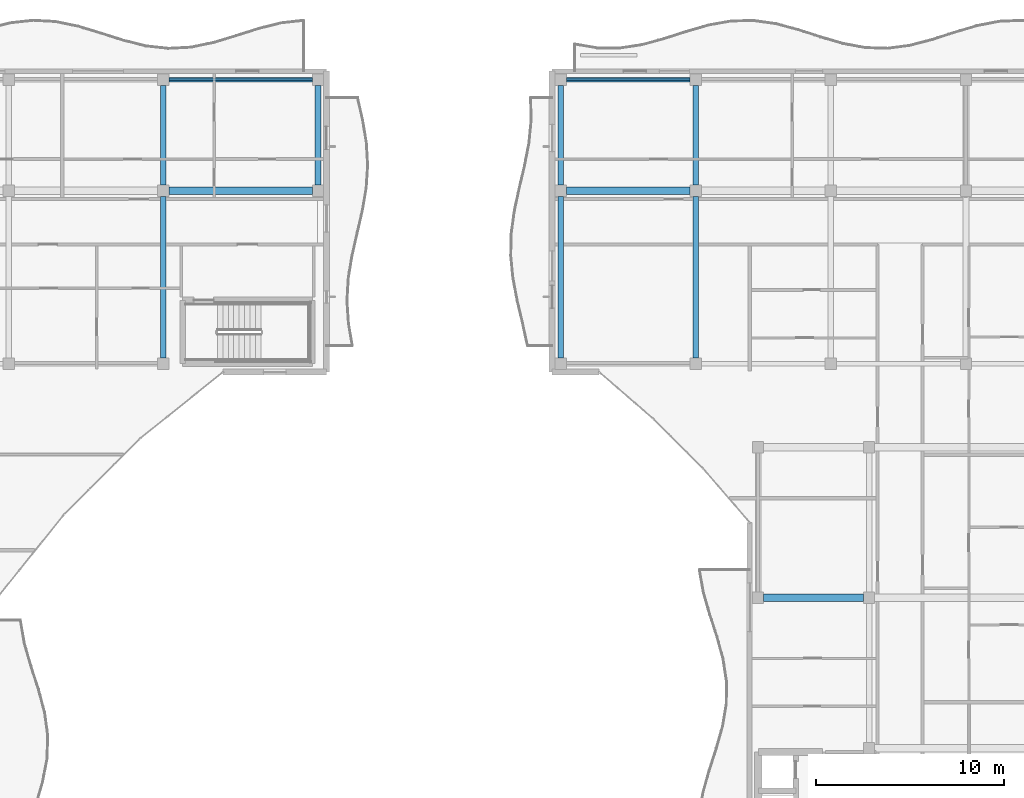
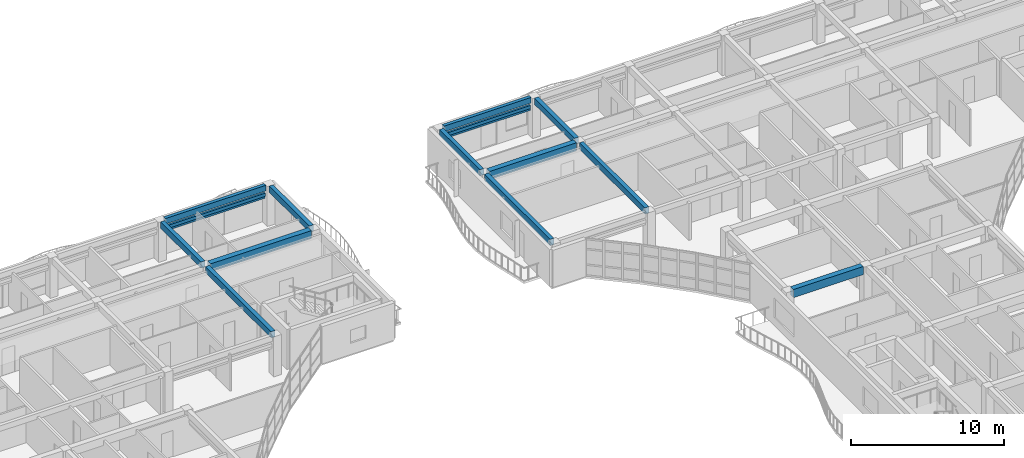
# One storey, part 11 of 76: 12 beams, 4 members.
"""IFC4 building model written with IfcOpenShell, lengths in metres."""

from ifc_helpers import new_model, si_unit, direction, frame, origin, origin_2d, place, context, subcontext, project, spatial, rectangle, hollow_rectangle, extrude, material, material_profile, profile_set, type_object, element, save


model = new_model("IFC4")

# Units and contexts
model_context = context("Model", 3, precision=1e-05, world=origin(), true_north=direction((0.0, 1.0)))
body_context = subcontext(model_context, "Body", "Model", "MODEL_VIEW")
ifc_project = project(units=[si_unit("LENGTHUNIT", "METRE"), si_unit("AREAUNIT", "SQUARE_METRE"), si_unit("VOLUMEUNIT", "CUBIC_METRE"), si_unit("PLANEANGLEUNIT", "RADIAN"), si_unit("MASSUNIT", "GRAM", prefix="KILO")], contexts=[model_context])

# Site, building, storey
site_placement = place(None, origin())
site = spatial("IfcSite", under=ifc_project, at=site_placement, CompositionType="ELEMENT")
building_placement = place(site_placement, origin())
building = spatial("IfcBuilding", under=site, at=building_placement, Name="Keldmere Railside Commons", CompositionType="ELEMENT")
storey_placement = place(building_placement, frame((0.0, 0.0, 13.760009765625)))
storey = spatial("IfcBuildingStorey", under=building, at=storey_placement, Name="L04", CompositionType="ELEMENT", Elevation=13.760009765625)

# Members
ifc_material_1 = material(Name="Steel F-36 (S355)", Category="steel")
ifc_material_profile_1 = material_profile(ifc_material_1, hollow_rectangle(XDim=0.14990234375, YDim=0.25, WallThickness=0.010009765625, at=origin_2d()), Name="RHS-250x150x10")
ifc_profile_set_1 = profile_set([ifc_material_profile_1], Name="Steel F-36 (S355)")
member_type_1 = type_object("IfcMemberType", Name="Balcony Continuous Planted Trough RHS250x150", PredefinedType="CHORD", material=ifc_profile_set_1)
member_1_placement = place(storey_placement, frame((73.1298828125, 115.550048828125, 2.4150390625), z_axis=(1.0, 0.0, 0.0), x_axis=(0.0, 1.0, 0.0)))
element("IfcMember", 1, at=member_1_placement, inside=storey, type_object=member_type_1, Name="PLT-1 MEM-BPLT-0481", PredefinedType="CHORD", context=body_context, shape_type="SweptSolid", body=[
    extrude(hollow_rectangle(XDim=0.14990234375, YDim=0.25, WallThickness=0.010009765625, at=origin_2d()), origin(), (0.0, 0.0, 1.0), 7.6201171875),
])
member_2_placement = place(storey_placement, frame((94.25, 115.550048828125, 2.4150390625), z_axis=(1.0, 0.0, 0.0), x_axis=(0.0, 1.0, 0.0)))
element("IfcMember", 2, at=member_2_placement, inside=storey, type_object=member_type_1, Name="PLT-1 MEM-BPLT-0507", PredefinedType="CHORD", context=body_context, shape_type="SweptSolid", body=[
    extrude(hollow_rectangle(XDim=0.14990234375, YDim=0.25, WallThickness=0.010009765625, at=origin_2d()), origin(), (0.0, 0.0, 1.0), 6.5830078125),
])

# Beams
ifc_material_2 = material(Name="Architectural Precast Concrete H-35 (C35/45)", Category="concrete")
ifc_material_profile_2 = material_profile(ifc_material_2, rectangle(XDim=0.25, YDim=0.449951171875, at=origin_2d()), Name="RC-250x450")
ifc_profile_set_2 = profile_set([ifc_material_profile_2], Name="Architectural Precast Concrete H-35 (C35/45)")
beam_type_1 = type_object("IfcBeamType", Name="Perimeter Precast Spandrel Beam 250x450", PredefinedType="SPANDREL", material=ifc_profile_set_2)
beam_1_placement = place(storey_placement, frame((73.1298828125, 115.550048828125, 2.97509765625), z_axis=(1.0, 0.0, 0.0), x_axis=(0.0, 1.0, 0.0)))
element("IfcBeam", 3, at=beam_1_placement, inside=storey, type_object=beam_type_1, Name="SPB-1 BM-L04-1590", PredefinedType="SPANDREL", context=body_context, shape_type="SweptSolid", body=[
    extrude(rectangle(XDim=0.25, YDim=0.449951171875, at=origin_2d()), origin(), (0.0, 0.0, 1.0), 7.6201171875),
])
beam_2_placement = place(storey_placement, frame((94.25, 115.550048828125, 2.97509765625), z_axis=(1.0, 0.0, 0.0), x_axis=(0.0, 1.0, 0.0)))
element("IfcBeam", 4, at=beam_2_placement, inside=storey, type_object=beam_type_1, Name="SPB-1 BM-L04-1591", PredefinedType="SPANDREL", context=body_context, shape_type="SweptSolid", body=[
    extrude(rectangle(XDim=0.25, YDim=0.449951171875, at=origin_2d()), origin(), (0.0, 0.0, 1.0), 6.5830078125),
])
ifc_material_3 = material(Name="Concrete H-30 (C30/37)", Category="concrete")
ifc_material_profile_3 = material_profile(ifc_material_3, rectangle(XDim=0.39990234375, YDim=0.64990234375, at=origin_2d()), Name="RC-400x650")
ifc_profile_set_3 = profile_set([ifc_material_profile_3], Name="Concrete H-30 (C30/37)")
beam_type_2 = type_object("IfcBeamType", Name="Residential Spine RC Girder 400x650", PredefinedType="BEAM", material=ifc_profile_set_3)
beam_3_placement = place(storey_placement, frame((104.75, 88.0, 2.875), z_axis=(1.0, 0.0, 0.0), x_axis=(0.0, 1.0, 0.0)))
element("IfcBeam", 5, at=beam_3_placement, inside=storey, type_object=beam_type_2, Name="BG-3 BM-L04-1542", PredefinedType="BEAM", context=body_context, shape_type="SweptSolid", body=[
    extrude(rectangle(XDim=0.39990234375, YDim=0.64990234375, at=origin_2d()), origin(), (0.0, 0.0, 1.0), 5.300048828125),
])
beam_4_placement = place(storey_placement, frame((73.1298828125, 109.64990234375, 2.875), z_axis=(1.0, 0.0, 0.0), x_axis=(0.0, 1.0, 0.0)))
element("IfcBeam", 6, at=beam_4_placement, inside=storey, type_object=beam_type_2, Name="BG-3 BM-L04-1571", PredefinedType="BEAM", context=body_context, shape_type="SweptSolid", body=[
    extrude(rectangle(XDim=0.39990234375, YDim=0.64990234375, at=origin_2d()), origin(), (0.0, 0.0, 1.0), 7.6201171875),
])
beam_5_placement = place(storey_placement, frame((94.25, 109.64990234375, 2.875), z_axis=(1.0, 0.0, 0.0), x_axis=(0.0, 1.0, 0.0)))
element("IfcBeam", 7, at=beam_5_placement, inside=storey, type_object=beam_type_2, Name="BG-3 BM-L04-1572", PredefinedType="BEAM", context=body_context, shape_type="SweptSolid", body=[
    extrude(rectangle(XDim=0.39990234375, YDim=0.64990234375, at=origin_2d()), origin(), (0.0, 0.0, 1.0), 6.5830078125),
])
ifc_material_profile_4 = material_profile(ifc_material_3, rectangle(XDim=0.300048828125, YDim=0.5, at=origin_2d()), Name="RC-300x500")
ifc_profile_set_4 = profile_set([ifc_material_profile_4], Name="Concrete H-30 (C30/37)")
beam_type_3 = type_object("IfcBeamType", Name="Secondary Frame RC Beam 300x500", PredefinedType="BEAM", material=ifc_profile_set_4)
beam_6_placement = place(storey_placement, frame((72.830078125, 100.75, 2.949951171875), z_axis=(0.0, 1.0, 0.0), x_axis=(-1.0, 0.0, 0.0)))
element("IfcBeam", 8, at=beam_6_placement, inside=storey, type_object=beam_type_3, Name="BG-5 BM-L04-1640", PredefinedType="BEAM", context=body_context, shape_type="SweptSolid", body=[
    extrude(rectangle(XDim=0.300048828125, YDim=0.5, at=origin_2d()), origin(), (0.0, 0.0, 1.0), 8.60009765625),
])
for number, where, z_axis, x_axis, name in (
    (9, (72.830078125, 109.949951171875, 2.949951171875), (0.0, 1.0, 0.0), (-1.0, 0.0, 0.0), "BG-5 BM-L04-1641"),
    (10, (81.050048828125, 109.949951171875, 2.949951171875), (0.0, 1.0, 0.0), (-1.0, 0.0, 0.0), "BG-5 BM-L04-1642"),
):
    element("IfcBeam", number, at=place(storey_placement, frame(where, z_axis=z_axis, x_axis=x_axis)), inside=storey, type_object=beam_type_3, Name=name, PredefinedType="BEAM", context=body_context, shape_type="SweptSolid", body=[
        extrude(rectangle(XDim=0.300048828125, YDim=0.5, at=origin_2d()), origin(), (0.0, 0.0, 1.0), 5.300048828125),
    ])
beam_7_placement = place(storey_placement, frame((93.949951171875, 100.75, 2.949951171875), z_axis=(0.0, 1.0, 0.0), x_axis=(-1.0, 0.0, 0.0)))
element("IfcBeam", 11, at=beam_7_placement, inside=storey, type_object=beam_type_3, Name="BG-5 BM-L04-1643", PredefinedType="BEAM", context=body_context, shape_type="SweptSolid", body=[
    extrude(rectangle(XDim=0.300048828125, YDim=0.5, at=origin_2d()), origin(), (0.0, 0.0, 1.0), 8.60009765625),
])
beam_8_placement = place(storey_placement, frame((93.949951171875, 109.949951171875, 2.949951171875), z_axis=(0.0, 1.0, 0.0), x_axis=(-1.0, 0.0, 0.0)))
element("IfcBeam", 12, at=beam_8_placement, inside=storey, type_object=beam_type_3, Name="BG-5 BM-L04-1644", PredefinedType="BEAM", context=body_context, shape_type="SweptSolid", body=[
    extrude(rectangle(XDim=0.300048828125, YDim=0.5, at=origin_2d()), origin(), (0.0, 0.0, 1.0), 5.300048828125),
])
beam_9_placement = place(storey_placement, frame((101.133056640625, 100.75, 2.949951171875), z_axis=(0.0, 1.0, 0.0), x_axis=(-1.0, 0.0, 0.0)))
element("IfcBeam", 13, at=beam_9_placement, inside=storey, type_object=beam_type_3, Name="BG-5 BM-L04-1645", PredefinedType="BEAM", context=body_context, shape_type="SweptSolid", body=[
    extrude(rectangle(XDim=0.300048828125, YDim=0.5, at=origin_2d()), origin(), (0.0, 0.0, 1.0), 8.60009765625),
])
beam_10_placement = place(storey_placement, frame((101.133056640625, 109.949951171875, 2.949951171875), z_axis=(0.0, 1.0, 0.0), x_axis=(-1.0, 0.0, 0.0)))
element("IfcBeam", 14, at=beam_10_placement, inside=storey, type_object=beam_type_3, Name="BG-5 BM-L04-1646", PredefinedType="BEAM", context=body_context, shape_type="SweptSolid", body=[
    extrude(rectangle(XDim=0.300048828125, YDim=0.5, at=origin_2d()), origin(), (0.0, 0.0, 1.0), 5.300048828125),
])

# Members
ifc_material_profile_5 = material_profile(ifc_material_1, hollow_rectangle(XDim=0.10009765625, YDim=0.159912109375, WallThickness=0.008056640625, at=origin_2d()), Name="RHS-160x100x8")
ifc_profile_set_5 = profile_set([ifc_material_profile_5], Name="Steel F-36 (S355)")
member_type_2 = type_object("IfcMemberType", Name="Solar Brise-Soleil Louvre Fin RHS160x100", PredefinedType="STRUT", material=ifc_profile_set_5)
member_3_placement = place(storey_placement, frame((73.1298828125, 115.550048828125, 2.199951171875), z_axis=(1.0, 0.0, 0.0), x_axis=(0.0, 1.0, 0.0)))
element("IfcMember", 15, at=member_3_placement, inside=storey, type_object=member_type_2, Name="BSF-1 MEM-BSF-0482", PredefinedType="STRUT", context=body_context, shape_type="SweptSolid", body=[
    extrude(hollow_rectangle(XDim=0.10009765625, YDim=0.159912109375, WallThickness=0.008056640625, at=origin_2d()), origin(), (0.0, 0.0, 1.0), 7.6201171875),
])
member_4_placement = place(storey_placement, frame((94.25, 115.550048828125, 2.199951171875), z_axis=(1.0, 0.0, 0.0), x_axis=(0.0, 1.0, 0.0)))
element("IfcMember", 16, at=member_4_placement, inside=storey, type_object=member_type_2, Name="BSF-1 MEM-BSF-0508", PredefinedType="STRUT", context=body_context, shape_type="SweptSolid", body=[
    extrude(hollow_rectangle(XDim=0.10009765625, YDim=0.159912109375, WallThickness=0.008056640625, at=origin_2d()), origin(), (0.0, 0.0, 1.0), 6.5830078125),
])

save(model, "model.ifc")
